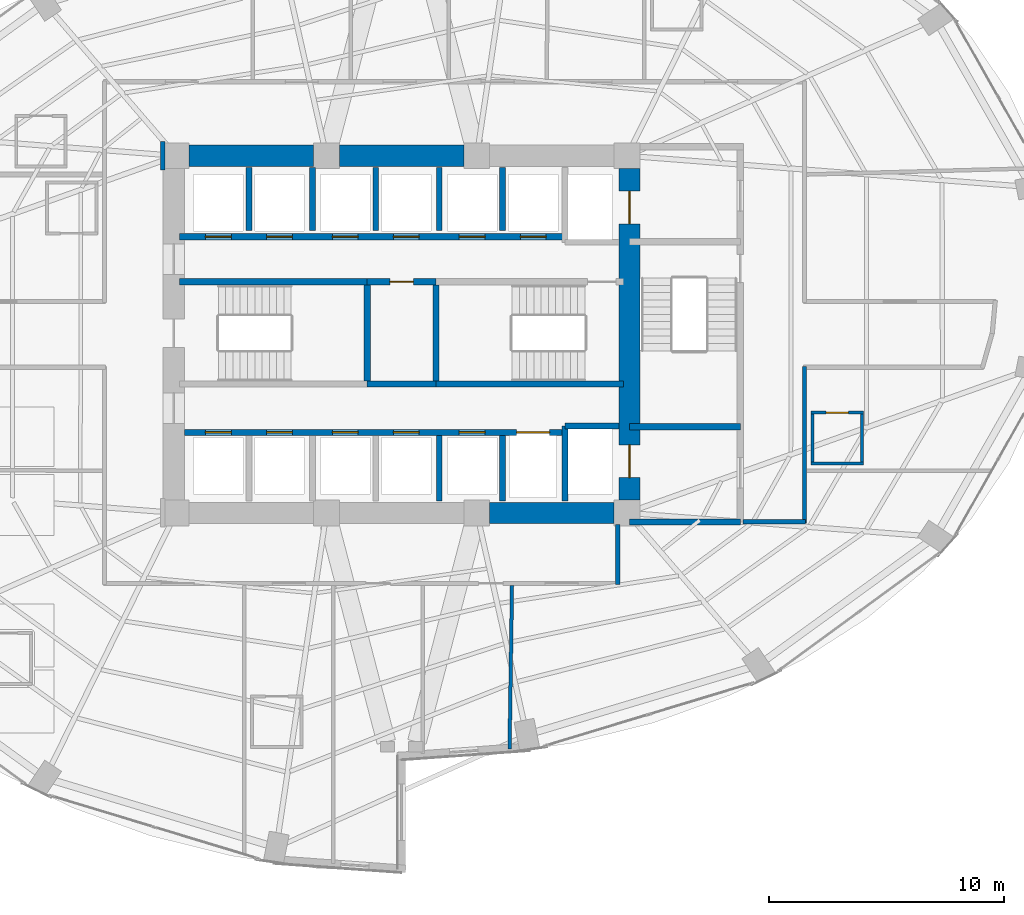
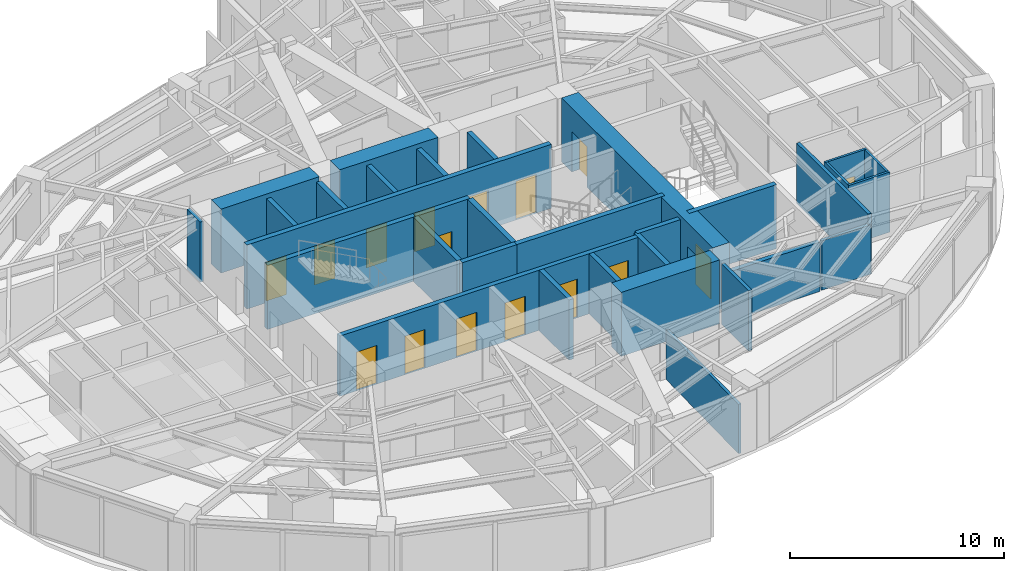
# One storey, part 21 of 25: 32 walls, 16 doors, 16 openings.
"""IFC4 building model written with IfcOpenShell, lengths in metres."""

from ifc_helpers import new_model, si_unit, direction, frame, frame_2d, origin, place, context, subcontext, project, spatial, rectangle, extrude, material, layer, layer_set, type_object, element, fill, save


model = new_model("IFC4")

# Units and contexts
model_context = context("Model", 3, precision=1e-05, world=origin(), true_north=direction((0.0, 1.0)))
body_context = subcontext(model_context, "Body", "Model", "MODEL_VIEW")
ifc_project = project(units=[si_unit("LENGTHUNIT", "METRE"), si_unit("AREAUNIT", "SQUARE_METRE"), si_unit("VOLUMEUNIT", "CUBIC_METRE"), si_unit("PLANEANGLEUNIT", "RADIAN"), si_unit("MASSUNIT", "GRAM", prefix="KILO")], contexts=[model_context])

# Site, building, storey
site_placement = place(None, origin())
site = spatial("IfcSite", under=ifc_project, at=site_placement, CompositionType="ELEMENT")
building_placement = place(site_placement, origin())
building = spatial("IfcBuilding", under=site, at=building_placement, Name="Lazwardi Medical Tower", CompositionType="ELEMENT")
storey_placement = place(building_placement, frame((0.0, 0.0, 28.847900390625)))
storey = spatial("IfcBuildingStorey", under=building, at=storey_placement, Name="L06", CompositionType="ELEMENT", Elevation=28.847900390625)

# Walls
ifc_material_1 = material(Name="Fire-rated gypsum board on steel stud", Category="steel")
ifc_layer_1 = layer(ifc_material_1, 0.179931640625)
ifc_layer_set_1 = layer_set([ifc_layer_1], Name="Fire-rated gypsum board on steel stud")
wall_type_1 = type_object("IfcWallType", Name="WL-COR-180", PredefinedType="PARTITIONING", material=ifc_layer_set_1)
wall_1_placement = place(storey_placement, frame((53.14990234375, 26.639892578125, 0.0), z_axis=(0.0, 0.0, 1.0), x_axis=(0.0, -1.0, 0.0)))
element("IfcWall", 1, at=wall_1_placement, inside=storey, type_object=wall_type_1, Name="L06 Corridor partition 10", PredefinedType="PARTITIONING", context=body_context, shape_type="SweptSolid", body=[
    extrude(rectangle(XDim=6.659912109375, YDim=0.179931640625, at=frame_2d((3.330078125, 0.0))), origin(), (0.0, 0.0, 1.0), 3.427978515625),
])
wall_2_placement = place(storey_placement, frame((53.18994140625, 20.02001953125, 0.0), z_axis=(0.0, 0.0, 1.0), x_axis=(-1.0, 0.0, 0.0)))
element("IfcWall", 2, at=wall_2_placement, inside=storey, type_object=wall_type_1, Name="L06 Corridor partition 11", PredefinedType="PARTITIONING", context=body_context, shape_type="SweptSolid", body=[
    extrude(rectangle(XDim=2.64990234375, YDim=0.179931640625, at=frame_2d((1.324951171875, 0.0))), origin(), (0.0, 0.0, 1.0), 2.81298828125),
])
wall_3_placement = place(storey_placement, frame((25.830078125, 36.2099609375, 0.0), z_axis=(0.0, 0.0, 1.0), x_axis=(0.0, -1.0, 0.0)))
element("IfcWall", 3, at=wall_3_placement, inside=storey, type_object=wall_type_1, Name="L06 Corridor partition 12", PredefinedType="PARTITIONING", context=body_context, shape_type="SweptSolid", body=[
    extrude(rectangle(XDim=1.219970703125, YDim=0.179931640625, at=frame_2d((0.60986328125, 0.0))), origin(), (0.0, 0.0, 1.0), 3.427978515625),
])
wall_4_placement = place(storey_placement, frame((45.199951171875, 19.909912109375, 0.0), z_axis=(0.0, 0.0, 1.0), x_axis=(0.0, -1.0, 0.0)))
element("IfcWall", 4, at=wall_4_placement, inside=storey, type_object=wall_type_1, Name="L06 Corridor partition 14", PredefinedType="PARTITIONING", context=body_context, shape_type="SweptSolid", body=[
    extrude(rectangle(XDim=2.5498046875, YDim=0.179931640625, at=frame_2d((1.27490234375, 0.0))), origin(), (0.0, 0.0, 1.0), 3.427978515625),
])

# Wall, openings, doors
ifc_material_2 = material(Name="Concrete C80/95", Category="concrete")
ifc_layer_2 = layer(ifc_material_2, 0.89990234375)
ifc_layer_set_2 = layer_set([ifc_layer_2], Name="Concrete C80/95")
wall_type_2 = type_object("IfcWallType", Name="WL-CORE-900", PredefinedType="SHEAR", material=ifc_layer_set_2)
wall_5_placement = place(storey_placement, frame((45.699951171875, 20.949951171875, 0.0), z_axis=(0.0, 0.0, 1.0), x_axis=(0.0, 1.0, 0.0)))
wall_5 = element("IfcWall", 5, at=wall_5_placement, inside=storey, type_object=wall_type_2, Name="Core wall CW-S1 east L06", PredefinedType="SHEAR", context=body_context, shape_type="SweptSolid", body=[
    extrude(rectangle(XDim=14.10009765625, YDim=0.89990234375, at=frame_2d((7.050048828125, 0.0))), origin(), (0.0, 0.0, 1.0), 3.648193359375),
])
opening_1_placement = place(wall_5_placement, frame((11.75, 0.0, 0.0)))
opening_1 = element("IfcOpeningElement", 6, at=opening_1_placement, cuts=wall_5, Name="Opening LD-L06-001", PredefinedType="OPENING", context=body_context, shape_type="SweptSolid", body=[
    extrude(rectangle(XDim=1.39990234375, YDim=2.300048828125, at=frame_2d((0.699951171875, 1.14990234375))), frame((0.0, 0.4599609375, 0.0), z_axis=(0.0, -1.0, 0.0), x_axis=(1.0, 0.0, 0.0)), (0.0, 0.0, 1.0), 0.919921875),
])
opening_2_placement = place(wall_5_placement, frame((0.949951171875, 0.0, 0.0)))
opening_2 = element("IfcOpeningElement", 7, at=opening_2_placement, cuts=wall_5, Name="Opening LD-L06-002", PredefinedType="OPENING", context=body_context, shape_type="SweptSolid", body=[
    extrude(rectangle(XDim=1.39990234375, YDim=2.300048828125, at=frame_2d((0.699951171875, 1.14990234375))), frame((0.0, 0.4599609375, 0.0), z_axis=(0.0, -1.0, 0.0), x_axis=(1.0, 0.0, 0.0)), (0.0, 0.0, 1.0), 0.919921875),
])
ifc_material_3 = material(Name="Brushed stainless steel bed-lift landing door", Category="steel")
door_type_1 = type_object("IfcDoorType", Name="DR-LFT-1400", OperationType="NOTDEFINED", PredefinedType="DOOR", material=ifc_material_3)
door_1_placement = place(opening_1_placement, origin())
door_1 = element("IfcDoor", 8, at=door_1_placement, inside=storey, type_object=door_type_1, Name="L06 Lift Landing Door FL-01", OperationType="SLIDING_TO_LEFT", OverallHeight=2.300048828125, OverallWidth=1.39990234375, PredefinedType="DOOR", context=body_context, shape_type="SweptSolid", body=[
    extrude(rectangle(XDim=1.39990234375, YDim=2.300048828125, at=frame_2d((0.699951171875, 1.14990234375))), frame((0.0, 0.02490234375, 0.0), z_axis=(0.0, -1.0, 0.0), x_axis=(1.0, 0.0, 0.0)), (0.0, 0.0, 1.0), 0.050048828125),
])
fill(opening_1, door_1)
door_2_placement = place(opening_2_placement, origin())
door_2 = element("IfcDoor", 9, at=door_2_placement, inside=storey, type_object=door_type_1, Name="L06 Lift Landing Door FL-02", OperationType="SLIDING_TO_LEFT", OverallHeight=2.300048828125, OverallWidth=1.39990234375, PredefinedType="DOOR", context=body_context, shape_type="SweptSolid", body=[
    extrude(rectangle(XDim=1.39990234375, YDim=2.300048828125, at=frame_2d((0.699951171875, 1.14990234375))), frame((0.0, 0.02490234375, 0.0), z_axis=(0.0, -1.0, 0.0), x_axis=(1.0, 0.0, 0.0)), (0.0, 0.0, 1.0), 0.050048828125),
])
fill(opening_2, door_2)

# Walls
wall_6_placement = place(storey_placement, frame((26.949951171875, 35.60009765625, 0.0), z_axis=(0.0, 0.0, 1.0), x_axis=(1.0, 0.0, 0.0)))
element("IfcWall", 10, at=wall_6_placement, inside=storey, type_object=wall_type_2, Name="Core wall CW-S1 N1 L06", PredefinedType="SHEAR", context=body_context, shape_type="SweptSolid", body=[
    extrude(rectangle(XDim=5.300048828125, YDim=0.89990234375, at=frame_2d((2.64990234375, 0.0))), origin(), (0.0, 0.0, 1.0), 3.648193359375),
])
wall_7_placement = place(storey_placement, frame((33.35009765625, 35.60009765625, 0.0), z_axis=(0.0, 0.0, 1.0), x_axis=(1.0, 0.0, 0.0)))
element("IfcWall", 11, at=wall_7_placement, inside=storey, type_object=wall_type_2, Name="Core wall CW-S1 N2 L06", PredefinedType="SHEAR", context=body_context, shape_type="SweptSolid", body=[
    extrude(rectangle(XDim=5.2998046875, YDim=0.89990234375, at=frame_2d((2.64990234375, 0.0))), origin(), (0.0, 0.0, 1.0), 3.648193359375),
])
wall_8_placement = place(storey_placement, frame((39.75, 20.39990234375, 0.0), z_axis=(0.0, 0.0, 1.0), x_axis=(1.0, 0.0, 0.0)))
element("IfcWall", 12, at=wall_8_placement, inside=storey, type_object=wall_type_2, Name="Core wall CW-S1 S3 L06", PredefinedType="SHEAR", context=body_context, shape_type="SweptSolid", body=[
    extrude(rectangle(XDim=5.300048828125, YDim=0.89990234375, at=frame_2d((2.64990234375, 0.0))), origin(), (0.0, 0.0, 1.0), 3.648193359375),
])

# Wall, opening, door
ifc_material_4 = material(Name="Moisture-resistant gypsum board partition")
ifc_layer_3 = layer(ifc_material_4, 0.125)
ifc_layer_set_3 = layer_set([ifc_layer_3], Name="Moisture-resistant gypsum board partition")
wall_type_3 = type_object("IfcWallType", Name="WL-ENS-125", PredefinedType="PARTITIONING", material=ifc_layer_set_3)
wall_9_placement = place(storey_placement, frame((53.43505859375, 24.6650390625, 0.0), z_axis=(0.0, 0.0, 1.0), x_axis=(1.0, 0.0, 0.0)))
wall_9 = element("IfcWall", 13, at=wall_9_placement, inside=storey, type_object=wall_type_3, Name="L06 En-suite wall 6N", PredefinedType="PARTITIONING", context=body_context, shape_type="SweptSolid", body=[
    extrude(rectangle(XDim=2.219970703125, YDim=0.125, at=frame_2d((1.10986328125, 0.0))), origin(), (0.0, 0.0, 1.0), 3.427978515625),
])
opening_3_placement = place(wall_9_placement, frame((0.635009765625, 0.0, 0.0)))
opening_3 = element("IfcOpeningElement", 14, at=opening_3_placement, cuts=wall_9, Name="Opening D-L06-004", PredefinedType="OPENING", context=body_context, shape_type="SweptSolid", body=[
    extrude(rectangle(XDim=0.949951171875, YDim=2.10009765625, at=frame_2d((0.47509765625, 1.050048828125))), frame((0.0, 0.072509765625, 0.0), z_axis=(0.0, -1.0, 0.0), x_axis=(1.0, 0.0, 0.0)), (0.0, 0.0, 1.0), 0.14501953125),
])
ifc_material_5 = material(Name="Moisture-resistant laminate door leaf")
door_type_2 = type_object("IfcDoorType", Name="DR-ENS-950", OperationType="NOTDEFINED", PredefinedType="DOOR", material=ifc_material_5)
door_3_placement = place(opening_3_placement, origin())
door_3 = element("IfcDoor", 15, at=door_3_placement, inside=storey, type_object=door_type_2, Name="L06 En-suite Door 06", OperationType="SINGLE_SWING_LEFT", OverallHeight=2.10009765625, OverallWidth=0.949951171875, PredefinedType="DOOR", context=body_context, shape_type="SweptSolid", body=[
    extrude(rectangle(XDim=0.949951171875, YDim=2.10009765625, at=frame_2d((0.47509765625, 1.050048828125))), frame((0.0, 0.02490234375, 0.0), z_axis=(0.0, -1.0, 0.0), x_axis=(1.0, 0.0, 0.0)), (0.0, 0.0, 1.0), 0.050048828125),
])
fill(opening_3, door_3)

# Walls
wall_10_placement = place(storey_placement, frame((53.43505859375, 22.5048828125, 0.0), z_axis=(0.0, 0.0, 1.0), x_axis=(1.0, 0.0, 0.0)))
element("IfcWall", 16, at=wall_10_placement, inside=storey, type_object=wall_type_3, Name="L06 En-suite wall 6S", PredefinedType="PARTITIONING", context=body_context, shape_type="SweptSolid", body=[
    extrude(rectangle(XDim=2.219970703125, YDim=0.125, at=frame_2d((1.10986328125, 0.0))), origin(), (0.0, 0.0, 1.0), 3.427978515625),
])
for number, where, z_axis, x_axis, name in (
    (17, (55.594970703125, 22.445068359375, 0.0), (0.0, 0.0, 1.0), (0.0, 1.0, 0.0), "L06 En-suite wall 6E"),
    (18, (53.4951171875, 22.445068359375, 0.0), (0.0, 0.0, 1.0), (0.0, 1.0, 0.0), "L06 En-suite wall 6W"),
):
    element("IfcWall", number, at=place(storey_placement, frame(where, z_axis=z_axis, x_axis=x_axis)), inside=storey, type_object=wall_type_3, Name=name, PredefinedType="PARTITIONING", context=body_context, shape_type="SweptSolid", body=[
        extrude(rectangle(XDim=2.280029296875, YDim=0.125, at=frame_2d((1.14013671875, 0.0))), origin(), (0.0, 0.0, 1.0), 3.427978515625),
    ])

# Wall, openings, doors
ifc_material_6 = material(Name="Autoclaved aerated concrete blockwork", Category="masonry")
ifc_layer_4 = layer(ifc_material_6, 0.25)
ifc_layer_set_4 = layer_set([ifc_layer_4], Name="Autoclaved aerated concrete blockwork")
wall_type_4 = type_object("IfcWallType", Name="WL-SHAFT-250", PredefinedType="SOLIDWALL", material=ifc_layer_set_4)
wall_11_placement = place(storey_placement, frame((26.75, 23.830078125, 0.0), z_axis=(0.0, 0.0, 1.0), x_axis=(1.0, 0.0, 0.0)))
wall_11 = element("IfcWall", 19, at=wall_11_placement, inside=storey, type_object=wall_type_4, Name="L06 South lift bank front wall", PredefinedType="SOLIDWALL", context=body_context, shape_type="SweptSolid", body=[
    extrude(rectangle(XDim=16.199951171875, YDim=0.25, at=frame_2d((8.10009765625, 0.0))), origin(), (0.0, 0.0, 1.0), 3.427978515625),
])
opening_4_placement = place(wall_11_placement, frame((0.89990234375, 0.0, 0.0)))
opening_4 = element("IfcOpeningElement", 20, at=opening_4_placement, cuts=wall_11, Name="Opening LD-L06-006", PredefinedType="OPENING", context=body_context, shape_type="SweptSolid", body=[
    extrude(rectangle(XDim=1.10009765625, YDim=2.199951171875, at=frame_2d((0.550048828125, 1.10009765625))), frame((0.0, 0.135009765625, 0.0), z_axis=(0.0, -1.0, 0.0), x_axis=(1.0, 0.0, 0.0)), (0.0, 0.0, 1.0), 0.27001953125),
])
opening_5_placement = place(wall_11_placement, frame((3.5, 0.0, 0.0)))
opening_5 = element("IfcOpeningElement", 21, at=opening_5_placement, cuts=wall_11, Name="Opening LD-L06-007", PredefinedType="OPENING", context=body_context, shape_type="SweptSolid", body=[
    extrude(rectangle(XDim=1.10009765625, YDim=2.199951171875, at=frame_2d((0.550048828125, 1.10009765625))), frame((0.0, 0.135009765625, 0.0), z_axis=(0.0, -1.0, 0.0), x_axis=(1.0, 0.0, 0.0)), (0.0, 0.0, 1.0), 0.27001953125),
])
opening_6_placement = place(wall_11_placement, frame((6.300048828125, 0.0, 0.0)))
opening_6 = element("IfcOpeningElement", 22, at=opening_6_placement, cuts=wall_11, Name="Opening LD-L06-010", PredefinedType="OPENING", context=body_context, shape_type="SweptSolid", body=[
    extrude(rectangle(XDim=1.10009765625, YDim=2.199951171875, at=frame_2d((0.550048828125, 1.10009765625))), frame((0.0, 0.135009765625, 0.0), z_axis=(0.0, -1.0, 0.0), x_axis=(1.0, 0.0, 0.0)), (0.0, 0.0, 1.0), 0.27001953125),
])
opening_7_placement = place(wall_11_placement, frame((8.89990234375, 0.0, 0.0)))
opening_7 = element("IfcOpeningElement", 23, at=opening_7_placement, cuts=wall_11, Name="Opening LD-L06-011", PredefinedType="OPENING", context=body_context, shape_type="SweptSolid", body=[
    extrude(rectangle(XDim=1.10009765625, YDim=2.199951171875, at=frame_2d((0.550048828125, 1.10009765625))), frame((0.0, 0.135009765625, 0.0), z_axis=(0.0, -1.0, 0.0), x_axis=(1.0, 0.0, 0.0)), (0.0, 0.0, 1.0), 0.27001953125),
])
opening_8_placement = place(wall_11_placement, frame((11.699951171875, 0.0, 0.0)))
opening_8 = element("IfcOpeningElement", 24, at=opening_8_placement, cuts=wall_11, Name="Opening LD-L06-014", PredefinedType="OPENING", context=body_context, shape_type="SweptSolid", body=[
    extrude(rectangle(XDim=1.10009765625, YDim=2.199951171875, at=frame_2d((0.550048828125, 1.10009765625))), frame((0.0, 0.135009765625, 0.0), z_axis=(0.0, -1.0, 0.0), x_axis=(1.0, 0.0, 0.0)), (0.0, 0.0, 1.0), 0.27001953125),
])
opening_9_placement = place(wall_11_placement, frame((14.14990234375, 0.0, 0.0)))
opening_9 = element("IfcOpeningElement", 25, at=opening_9_placement, cuts=wall_11, Name="Opening LD-L06-003", PredefinedType="OPENING", context=body_context, shape_type="SweptSolid", body=[
    extrude(rectangle(XDim=1.39990234375, YDim=2.300048828125, at=frame_2d((0.699951171875, 1.14990234375))), frame((0.0, 0.135009765625, 0.0), z_axis=(0.0, -1.0, 0.0), x_axis=(1.0, 0.0, 0.0)), (0.0, 0.0, 1.0), 0.27001953125),
])
ifc_material_7 = material(Name="Brushed bronze stainless steel landing door", Category="steel")
door_type_3 = type_object("IfcDoorType", Name="DR-LFT-1100", OperationType="NOTDEFINED", PredefinedType="DOOR", material=ifc_material_7)
door_4_placement = place(opening_4_placement, origin())
door_4 = element("IfcDoor", 26, at=door_4_placement, inside=storey, type_object=door_type_3, Name="L06 Lift Landing Door PL-03", OperationType="SLIDING_TO_LEFT", OverallHeight=2.199951171875, OverallWidth=1.10009765625, PredefinedType="DOOR", context=body_context, shape_type="SweptSolid", body=[
    extrude(rectangle(XDim=1.10009765625, YDim=2.199951171875, at=frame_2d((0.550048828125, 1.10009765625))), frame((0.0, 0.02490234375, 0.0), z_axis=(0.0, -1.0, 0.0), x_axis=(1.0, 0.0, 0.0)), (0.0, 0.0, 1.0), 0.050048828125),
])
fill(opening_4, door_4)
door_5_placement = place(opening_5_placement, origin())
door_5 = element("IfcDoor", 27, at=door_5_placement, inside=storey, type_object=door_type_3, Name="L06 Lift Landing Door PL-04", OperationType="SLIDING_TO_LEFT", OverallHeight=2.199951171875, OverallWidth=1.10009765625, PredefinedType="DOOR", context=body_context, shape_type="SweptSolid", body=[
    extrude(rectangle(XDim=1.10009765625, YDim=2.199951171875, at=frame_2d((0.550048828125, 1.10009765625))), frame((0.0, 0.02490234375, 0.0), z_axis=(0.0, -1.0, 0.0), x_axis=(1.0, 0.0, 0.0)), (0.0, 0.0, 1.0), 0.050048828125),
])
fill(opening_5, door_5)
door_6_placement = place(opening_6_placement, origin())
door_6 = element("IfcDoor", 28, at=door_6_placement, inside=storey, type_object=door_type_3, Name="L06 Lift Landing Door PL-07", OperationType="SLIDING_TO_LEFT", OverallHeight=2.199951171875, OverallWidth=1.10009765625, PredefinedType="DOOR", context=body_context, shape_type="SweptSolid", body=[
    extrude(rectangle(XDim=1.10009765625, YDim=2.199951171875, at=frame_2d((0.550048828125, 1.10009765625))), frame((0.0, 0.02490234375, 0.0), z_axis=(0.0, -1.0, 0.0), x_axis=(1.0, 0.0, 0.0)), (0.0, 0.0, 1.0), 0.050048828125),
])
fill(opening_6, door_6)
door_7_placement = place(opening_7_placement, origin())
door_7 = element("IfcDoor", 29, at=door_7_placement, inside=storey, type_object=door_type_3, Name="L06 Lift Landing Door PL-08", OperationType="SLIDING_TO_LEFT", OverallHeight=2.199951171875, OverallWidth=1.10009765625, PredefinedType="DOOR", context=body_context, shape_type="SweptSolid", body=[
    extrude(rectangle(XDim=1.10009765625, YDim=2.199951171875, at=frame_2d((0.550048828125, 1.10009765625))), frame((0.0, 0.02490234375, 0.0), z_axis=(0.0, -1.0, 0.0), x_axis=(1.0, 0.0, 0.0)), (0.0, 0.0, 1.0), 0.050048828125),
])
fill(opening_7, door_7)
door_8_placement = place(opening_8_placement, origin())
door_8 = element("IfcDoor", 30, at=door_8_placement, inside=storey, type_object=door_type_3, Name="L06 Lift Landing Door PL-11", OperationType="SLIDING_TO_LEFT", OverallHeight=2.199951171875, OverallWidth=1.10009765625, PredefinedType="DOOR", context=body_context, shape_type="SweptSolid", body=[
    extrude(rectangle(XDim=1.10009765625, YDim=2.199951171875, at=frame_2d((0.550048828125, 1.10009765625))), frame((0.0, 0.02490234375, 0.0), z_axis=(0.0, -1.0, 0.0), x_axis=(1.0, 0.0, 0.0)), (0.0, 0.0, 1.0), 0.050048828125),
])
fill(opening_8, door_8)
door_9_placement = place(opening_9_placement, origin())
door_9 = element("IfcDoor", 31, at=door_9_placement, inside=storey, type_object=door_type_1, Name="L06 Lift Landing Door FL-03", OperationType="SLIDING_TO_LEFT", OverallHeight=2.300048828125, OverallWidth=1.39990234375, PredefinedType="DOOR", context=body_context, shape_type="SweptSolid", body=[
    extrude(rectangle(XDim=1.39990234375, YDim=2.300048828125, at=frame_2d((0.699951171875, 1.14990234375))), frame((0.0, 0.02490234375, 0.0), z_axis=(0.0, -1.0, 0.0), x_axis=(1.0, 0.0, 0.0)), (0.0, 0.0, 1.0), 0.050048828125),
])
fill(opening_9, door_9)

# Walls
wall_12_placement = place(storey_placement, frame((42.949951171875, 20.89990234375, 0.0), z_axis=(0.0, 0.0, 1.0), x_axis=(0.0, 1.0, 0.0)))
element("IfcWall", 32, at=wall_12_placement, inside=storey, type_object=wall_type_4, Name="L06 FL-02 West shaft wall", PredefinedType="SOLIDWALL", context=body_context, shape_type="SweptSolid", body=[
    extrude(rectangle(XDim=3.2001953125, YDim=0.25, at=frame_2d((1.60009765625, 0.0))), origin(), (0.0, 0.0, 1.0), 3.427978515625),
])
wall_13_placement = place(storey_placement, frame((42.949951171875, 24.10009765625, 0.0), z_axis=(0.0, 0.0, 1.0), x_axis=(1.0, 0.0, 0.0)))
element("IfcWall", 33, at=wall_13_placement, inside=storey, type_object=wall_type_4, Name="L06 FL-02 North shaft wall", PredefinedType="SOLIDWALL", context=body_context, shape_type="SweptSolid", body=[
    extrude(rectangle(XDim=2.300048828125, YDim=0.25, at=frame_2d((1.14990234375, 0.0))), origin(), (0.0, 0.0, 1.0), 3.427978515625),
])
for number, where, z_axis, x_axis, name in (
    (34, (29.5, 32.419921875, 0.0), (0.0, 0.0, 1.0), (0.0, 1.0, 0.0), "L06 North hoistway divider"),
    (35, (32.199951171875, 32.419921875, 0.0), (0.0, 0.0, 1.0), (0.0, 1.0, 0.0), "L06 North hoistway divider"),
    (36, (34.89990234375, 32.419921875, 0.0), (0.0, 0.0, 1.0), (0.0, 1.0, 0.0), "L06 North hoistway divider"),
    (37, (37.60009765625, 32.419921875, 0.0), (0.0, 0.0, 1.0), (0.0, 1.0, 0.0), "L06 North hoistway divider"),
):
    element("IfcWall", number, at=place(storey_placement, frame(where, z_axis=z_axis, x_axis=x_axis)), inside=storey, type_object=wall_type_4, Name=name, PredefinedType="SOLIDWALL", context=body_context, shape_type="SweptSolid", body=[
        extrude(rectangle(XDim=2.68017578125, YDim=0.25, at=frame_2d((1.340087890625, 0.0))), origin(), (0.0, 0.0, 1.0), 3.427978515625),
    ])
wall_14_placement = place(storey_placement, frame((37.60009765625, 20.89990234375, 0.0), z_axis=(0.0, 0.0, 1.0), x_axis=(0.0, 1.0, 0.0)))
element("IfcWall", 38, at=wall_14_placement, inside=storey, type_object=wall_type_4, Name="L06 South hoistway divider", PredefinedType="SOLIDWALL", context=body_context, shape_type="SweptSolid", body=[
    extrude(rectangle(XDim=2.800048828125, YDim=0.25, at=frame_2d((1.39990234375, 0.0))), origin(), (0.0, 0.0, 1.0), 3.427978515625),
])
wall_15_placement = place(storey_placement, frame((40.300048828125, 32.419921875, 0.0), z_axis=(0.0, 0.0, 1.0), x_axis=(0.0, 1.0, 0.0)))
element("IfcWall", 39, at=wall_15_placement, inside=storey, type_object=wall_type_4, Name="L06 North hoistway divider", PredefinedType="SOLIDWALL", context=body_context, shape_type="SweptSolid", body=[
    extrude(rectangle(XDim=2.68017578125, YDim=0.25, at=frame_2d((1.340087890625, 0.0))), origin(), (0.0, 0.0, 1.0), 3.427978515625),
])
wall_16_placement = place(storey_placement, frame((40.300048828125, 20.89990234375, 0.0), z_axis=(0.0, 0.0, 1.0), x_axis=(0.0, 1.0, 0.0)))
element("IfcWall", 40, at=wall_16_placement, inside=storey, type_object=wall_type_4, Name="L06 South hoistway divider", PredefinedType="SOLIDWALL", context=body_context, shape_type="SweptSolid", body=[
    extrude(rectangle(XDim=2.800048828125, YDim=0.25, at=frame_2d((1.39990234375, 0.0))), origin(), (0.0, 0.0, 1.0), 3.427978515625),
])
wall_17_placement = place(storey_placement, frame((45.699951171875, 20.02001953125, 0.0), z_axis=(0.0, 0.0, 1.0), x_axis=(1.0, 0.0, 0.0)))
element("IfcWall", 41, at=wall_17_placement, inside=storey, type_object=wall_type_4, Name="L06 FFL-S South wall", PredefinedType="SOLIDWALL", context=body_context, shape_type="SweptSolid", body=[
    extrude(rectangle(XDim=4.715087890625, YDim=0.25, at=frame_2d((2.357421875, 0.0))), origin(), (0.0, 0.0, 1.0), 2.81298828125),
])
ifc_material_8 = material(Name="Concrete C50/60", Category="concrete")
ifc_layer_5 = layer(ifc_material_8, 0.27001953125)
ifc_layer_set_5 = layer_set([ifc_layer_5], Name="Concrete C50/60")
wall_type_5 = type_object("IfcWallType", Name="WL-STR-250", PredefinedType="SHEAR", material=ifc_layer_set_5)
wall_18_placement = place(storey_placement, frame((26.550048828125, 30.235107421875, 0.0), z_axis=(0.0, 0.0, 1.0), x_axis=(1.0, 0.0, 0.0)))
element("IfcWall", 42, at=wall_18_placement, inside=storey, type_object=wall_type_5, Name="L06 ST1 North shear shaft wall SW-S1", PredefinedType="SHEAR", context=body_context, shape_type="SweptSolid", body=[
    extrude(rectangle(XDim=7.98486328125, YDim=0.27001953125, at=frame_2d((3.992431640625, 0.0))), origin(), (0.0, 0.0, 1.0), 3.648193359375),
])

# Wall, opening, door
wall_19_placement = place(storey_placement, frame((34.534912109375, 30.235107421875, 0.0), z_axis=(0.0, 0.0, 1.0), x_axis=(1.0, 0.0, 0.0)))
wall_19 = element("IfcWall", 43, at=wall_19_placement, inside=storey, type_object=wall_type_5, Name="L06 Core service North shear wall SW-S1", PredefinedType="SHEAR", context=body_context, shape_type="SweptSolid", body=[
    extrude(rectangle(XDim=2.93017578125, YDim=0.27001953125, at=frame_2d((1.465087890625, 0.0))), origin(), (0.0, 0.0, 1.0), 3.648193359375),
])
opening_10_placement = place(wall_19_placement, frame((0.965087890625, 0.0, 0.0)))
opening_10 = element("IfcOpeningElement", 44, at=opening_10_placement, cuts=wall_19, Name="Opening D-L06-001", PredefinedType="OPENING", context=body_context, shape_type="SweptSolid", body=[
    extrude(rectangle(XDim=1.0, YDim=2.10009765625, at=frame_2d((0.5, 1.050048828125))), frame((0.0, 0.14501953125, 0.0), z_axis=(0.0, -1.0, 0.0), x_axis=(1.0, 0.0, 0.0)), (0.0, 0.0, 1.0), 0.2900390625),
])
door_type_4 = type_object("IfcDoorType", Name="DR-AWC-1000", OperationType="NOTDEFINED", PredefinedType="DOOR", material=ifc_material_5)
door_10_placement = place(opening_10_placement, origin())
door_10 = element("IfcDoor", 45, at=door_10_placement, inside=storey, type_object=door_type_4, Name="L06 Accessible WC Door", OperationType="SINGLE_SWING_RIGHT", OverallHeight=2.10009765625, OverallWidth=1.0, PredefinedType="DOOR", context=body_context, shape_type="SweptSolid", body=[
    extrude(rectangle(XDim=1.0, YDim=2.10009765625, at=frame_2d((0.5, 1.050048828125))), frame((0.0, 0.02490234375, 0.0), z_axis=(0.0, -1.0, 0.0), x_axis=(1.0, 0.0, 0.0)), (0.0, 0.0, 1.0), 0.050048828125),
])
fill(opening_10, door_10)

# Walls
wall_20_placement = place(storey_placement, frame((34.534912109375, 25.885009765625, 0.0), z_axis=(0.0, 0.0, 1.0), x_axis=(1.0, 0.0, 0.0)))
element("IfcWall", 46, at=wall_20_placement, inside=storey, type_object=wall_type_5, Name="L06 Core service South shear wall SW-S1", PredefinedType="SHEAR", context=body_context, shape_type="SweptSolid", body=[
    extrude(rectangle(XDim=2.93017578125, YDim=0.27001953125, at=frame_2d((1.465087890625, 0.0))), origin(), (0.0, 0.0, 1.0), 3.648193359375),
])
wall_21_placement = place(storey_placement, frame((37.465087890625, 25.885009765625, 0.0), z_axis=(0.0, 0.0, 1.0), x_axis=(1.0, 0.0, 0.0)))
element("IfcWall", 47, at=wall_21_placement, inside=storey, type_object=wall_type_5, Name="L06 ST2 South shear shaft wall SW-S1", PredefinedType="SHEAR", context=body_context, shape_type="SweptSolid", body=[
    extrude(rectangle(XDim=7.98486328125, YDim=0.27001953125, at=frame_2d((3.992431640625, 0.0))), origin(), (0.0, 0.0, 1.0), 3.648193359375),
])
for number, where, z_axis, x_axis, name in (
    (48, (34.534912109375, 26.02001953125, 0.0), (0.0, 0.0, 1.0), (0.0, 1.0, 0.0), "L06 ST1 East shear shaft wall SW-S1"),
    (49, (37.465087890625, 26.02001953125, 0.0), (0.0, 0.0, 1.0), (0.0, 1.0, 0.0), "L06 ST2 West shear shaft wall SW-S1"),
):
    element("IfcWall", number, at=place(storey_placement, frame(where, z_axis=z_axis, x_axis=x_axis)), inside=storey, type_object=wall_type_5, Name=name, PredefinedType="SHEAR", context=body_context, shape_type="SweptSolid", body=[
        extrude(rectangle(XDim=4.080078125, YDim=0.27001953125, at=frame_2d((2.0400390625, 0.0))), origin(), (0.0, 0.0, 1.0), 3.648193359375),
    ])

# Wall, openings, doors
wall_22_placement = place(storey_placement, frame((26.550048828125, 32.14990234375, 0.0), z_axis=(0.0, 0.0, 1.0), x_axis=(1.0, 0.0, 0.0)))
wall_22 = element("IfcWall", 50, at=wall_22_placement, inside=storey, type_object=wall_type_5, Name="L06 North lift bank shear wall SW-S1", PredefinedType="SHEAR", context=body_context, shape_type="SweptSolid", body=[
    extrude(rectangle(XDim=16.39990234375, YDim=0.27001953125, at=frame_2d((8.199951171875, 0.0))), origin(), (0.0, 0.0, 1.0), 3.648193359375),
])
opening_11_placement = place(wall_22_placement, frame((1.10009765625, 0.0, 0.0)))
opening_11 = element("IfcOpeningElement", 51, at=opening_11_placement, cuts=wall_22, Name="Opening LD-L06-004", PredefinedType="OPENING", context=body_context, shape_type="SweptSolid", body=[
    extrude(rectangle(XDim=1.10009765625, YDim=2.199951171875, at=frame_2d((0.550048828125, 1.10009765625))), frame((0.0, 0.14501953125, 0.0), z_axis=(0.0, -1.0, 0.0), x_axis=(1.0, 0.0, 0.0)), (0.0, 0.0, 1.0), 0.2900390625),
])
opening_12_placement = place(wall_22_placement, frame((3.699951171875, 0.0, 0.0)))
opening_12 = element("IfcOpeningElement", 52, at=opening_12_placement, cuts=wall_22, Name="Opening LD-L06-005", PredefinedType="OPENING", context=body_context, shape_type="SweptSolid", body=[
    extrude(rectangle(XDim=1.10009765625, YDim=2.199951171875, at=frame_2d((0.550048828125, 1.10009765625))), frame((0.0, 0.14501953125, 0.0), z_axis=(0.0, -1.0, 0.0), x_axis=(1.0, 0.0, 0.0)), (0.0, 0.0, 1.0), 0.2900390625),
])
opening_13_placement = place(wall_22_placement, frame((6.5, 0.0, 0.0)))
opening_13 = element("IfcOpeningElement", 53, at=opening_13_placement, cuts=wall_22, Name="Opening LD-L06-008", PredefinedType="OPENING", context=body_context, shape_type="SweptSolid", body=[
    extrude(rectangle(XDim=1.10009765625, YDim=2.199951171875, at=frame_2d((0.550048828125, 1.10009765625))), frame((0.0, 0.14501953125, 0.0), z_axis=(0.0, -1.0, 0.0), x_axis=(1.0, 0.0, 0.0)), (0.0, 0.0, 1.0), 0.2900390625),
])
opening_14_placement = place(wall_22_placement, frame((9.10009765625, 0.0, 0.0)))
opening_14 = element("IfcOpeningElement", 54, at=opening_14_placement, cuts=wall_22, Name="Opening LD-L06-009", PredefinedType="OPENING", context=body_context, shape_type="SweptSolid", body=[
    extrude(rectangle(XDim=1.10009765625, YDim=2.199951171875, at=frame_2d((0.550048828125, 1.10009765625))), frame((0.0, 0.14501953125, 0.0), z_axis=(0.0, -1.0, 0.0), x_axis=(1.0, 0.0, 0.0)), (0.0, 0.0, 1.0), 0.2900390625),
])
opening_15_placement = place(wall_22_placement, frame((11.89990234375, 0.0, 0.0)))
opening_15 = element("IfcOpeningElement", 55, at=opening_15_placement, cuts=wall_22, Name="Opening LD-L06-012", PredefinedType="OPENING", context=body_context, shape_type="SweptSolid", body=[
    extrude(rectangle(XDim=1.10009765625, YDim=2.199951171875, at=frame_2d((0.550048828125, 1.10009765625))), frame((0.0, 0.14501953125, 0.0), z_axis=(0.0, -1.0, 0.0), x_axis=(1.0, 0.0, 0.0)), (0.0, 0.0, 1.0), 0.2900390625),
])
opening_16_placement = place(wall_22_placement, frame((14.5, 0.0, 0.0)))
opening_16 = element("IfcOpeningElement", 56, at=opening_16_placement, cuts=wall_22, Name="Opening LD-L06-013", PredefinedType="OPENING", context=body_context, shape_type="SweptSolid", body=[
    extrude(rectangle(XDim=1.10009765625, YDim=2.199951171875, at=frame_2d((0.550048828125, 1.10009765625))), frame((0.0, 0.14501953125, 0.0), z_axis=(0.0, -1.0, 0.0), x_axis=(1.0, 0.0, 0.0)), (0.0, 0.0, 1.0), 0.2900390625),
])
door_11_placement = place(opening_11_placement, origin())
door_11 = element("IfcDoor", 57, at=door_11_placement, inside=storey, type_object=door_type_3, Name="L06 Lift Landing Door PL-01", OperationType="SLIDING_TO_LEFT", OverallHeight=2.199951171875, OverallWidth=1.10009765625, PredefinedType="DOOR", context=body_context, shape_type="SweptSolid", body=[
    extrude(rectangle(XDim=1.10009765625, YDim=2.199951171875, at=frame_2d((0.550048828125, 1.10009765625))), frame((0.0, 0.02490234375, 0.0), z_axis=(0.0, -1.0, 0.0), x_axis=(1.0, 0.0, 0.0)), (0.0, 0.0, 1.0), 0.050048828125),
])
fill(opening_11, door_11)
door_12_placement = place(opening_12_placement, origin())
door_12 = element("IfcDoor", 58, at=door_12_placement, inside=storey, type_object=door_type_3, Name="L06 Lift Landing Door PL-02", OperationType="SLIDING_TO_LEFT", OverallHeight=2.199951171875, OverallWidth=1.10009765625, PredefinedType="DOOR", context=body_context, shape_type="SweptSolid", body=[
    extrude(rectangle(XDim=1.10009765625, YDim=2.199951171875, at=frame_2d((0.550048828125, 1.10009765625))), frame((0.0, 0.02490234375, 0.0), z_axis=(0.0, -1.0, 0.0), x_axis=(1.0, 0.0, 0.0)), (0.0, 0.0, 1.0), 0.050048828125),
])
fill(opening_12, door_12)
door_13_placement = place(opening_13_placement, origin())
door_13 = element("IfcDoor", 59, at=door_13_placement, inside=storey, type_object=door_type_3, Name="L06 Lift Landing Door PL-05", OperationType="SLIDING_TO_LEFT", OverallHeight=2.199951171875, OverallWidth=1.10009765625, PredefinedType="DOOR", context=body_context, shape_type="SweptSolid", body=[
    extrude(rectangle(XDim=1.10009765625, YDim=2.199951171875, at=frame_2d((0.550048828125, 1.10009765625))), frame((0.0, 0.02490234375, 0.0), z_axis=(0.0, -1.0, 0.0), x_axis=(1.0, 0.0, 0.0)), (0.0, 0.0, 1.0), 0.050048828125),
])
fill(opening_13, door_13)
door_14_placement = place(opening_14_placement, origin())
door_14 = element("IfcDoor", 60, at=door_14_placement, inside=storey, type_object=door_type_3, Name="L06 Lift Landing Door PL-06", OperationType="SLIDING_TO_LEFT", OverallHeight=2.199951171875, OverallWidth=1.10009765625, PredefinedType="DOOR", context=body_context, shape_type="SweptSolid", body=[
    extrude(rectangle(XDim=1.10009765625, YDim=2.199951171875, at=frame_2d((0.550048828125, 1.10009765625))), frame((0.0, 0.02490234375, 0.0), z_axis=(0.0, -1.0, 0.0), x_axis=(1.0, 0.0, 0.0)), (0.0, 0.0, 1.0), 0.050048828125),
])
fill(opening_14, door_14)
door_15_placement = place(opening_15_placement, origin())
door_15 = element("IfcDoor", 61, at=door_15_placement, inside=storey, type_object=door_type_3, Name="L06 Lift Landing Door PL-09", OperationType="SLIDING_TO_LEFT", OverallHeight=2.199951171875, OverallWidth=1.10009765625, PredefinedType="DOOR", context=body_context, shape_type="SweptSolid", body=[
    extrude(rectangle(XDim=1.10009765625, YDim=2.199951171875, at=frame_2d((0.550048828125, 1.10009765625))), frame((0.0, 0.02490234375, 0.0), z_axis=(0.0, -1.0, 0.0), x_axis=(1.0, 0.0, 0.0)), (0.0, 0.0, 1.0), 0.050048828125),
])
fill(opening_15, door_15)
door_16_placement = place(opening_16_placement, origin())
door_16 = element("IfcDoor", 62, at=door_16_placement, inside=storey, type_object=door_type_3, Name="L06 Lift Landing Door PL-10", OperationType="SLIDING_TO_LEFT", OverallHeight=2.199951171875, OverallWidth=1.10009765625, PredefinedType="DOOR", context=body_context, shape_type="SweptSolid", body=[
    extrude(rectangle(XDim=1.10009765625, YDim=2.199951171875, at=frame_2d((0.550048828125, 1.10009765625))), frame((0.0, 0.02490234375, 0.0), z_axis=(0.0, -1.0, 0.0), x_axis=(1.0, 0.0, 0.0)), (0.0, 0.0, 1.0), 0.050048828125),
])
fill(opening_16, door_16)

# Walls
wall_23_placement = place(storey_placement, frame((45.699951171875, 24.06494140625, 0.0), z_axis=(0.0, 0.0, 1.0), x_axis=(1.0, 0.0, 0.0)))
element("IfcWall", 63, at=wall_23_placement, inside=storey, type_object=wall_type_5, Name="L06 ST3 South shear shaft wall SW-S1", PredefinedType="SHEAR", context=body_context, shape_type="SweptSolid", body=[
    extrude(rectangle(XDim=4.715087890625, YDim=0.27001953125, at=frame_2d((2.357421875, 0.0))), origin(), (0.0, 0.0, 1.0), 3.648193359375),
])
ifc_material_9 = material(Name="Acoustic gypsum board partition")
ifc_layer_6 = layer(ifc_material_9, 0.14990234375)
ifc_layer_set_6 = layer_set([ifc_layer_6], Name="Acoustic gypsum board partition")
wall_type_6 = type_object("IfcWallType", Name="WL-WRD-150", PredefinedType="PARTITIONING", material=ifc_layer_set_6)
wall_24_placement = place(storey_placement, frame((40.594970703125, 10.35888671875, 0.0), z_axis=(0.0, 0.0, 1.0), x_axis=(0.014960393547, 0.99988808705, 0.0)))
element("IfcWall", 64, at=wall_24_placement, inside=storey, type_object=wall_type_6, Name="L06 Room partition 13", PredefinedType="PARTITIONING", context=body_context, shape_type="SweptSolid", body=[
    extrude(rectangle(XDim=6.951904296875, YDim=0.14990234375, at=frame_2d((3.47607421875, 0.0))), origin(), (0.0, 0.0, 1.0), 2.81298828125),
])

save(model, "model.ifc")
